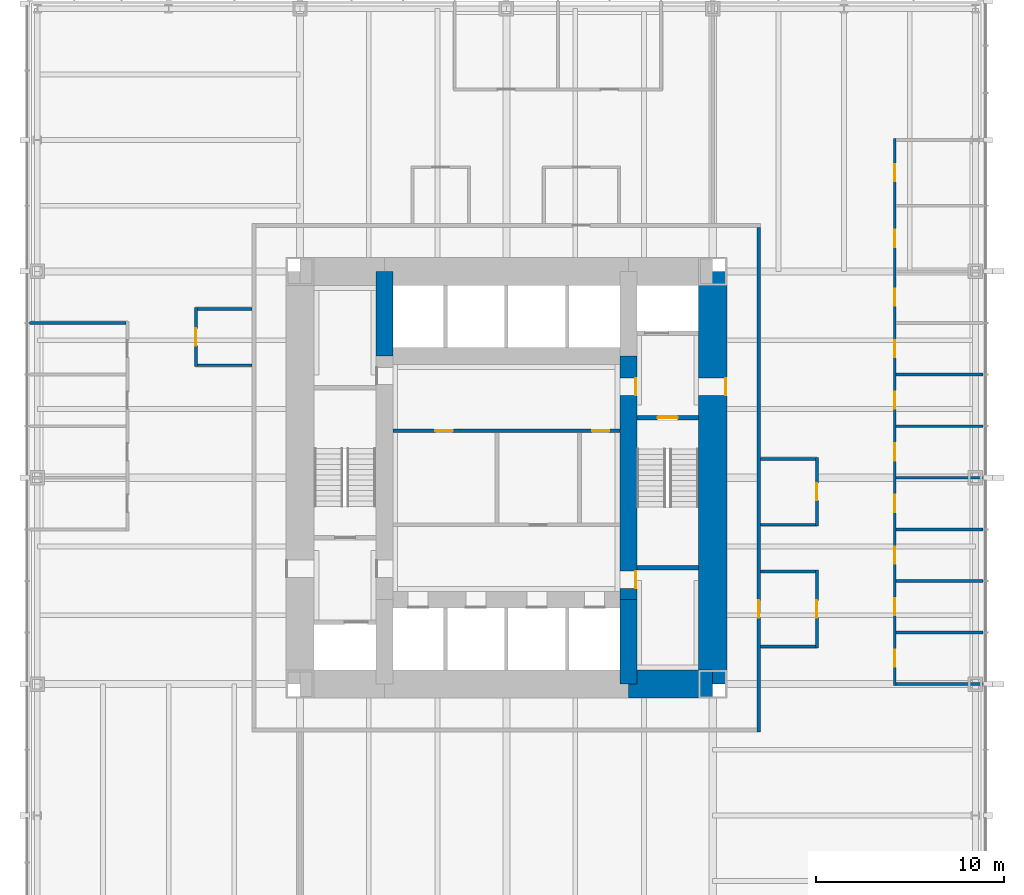
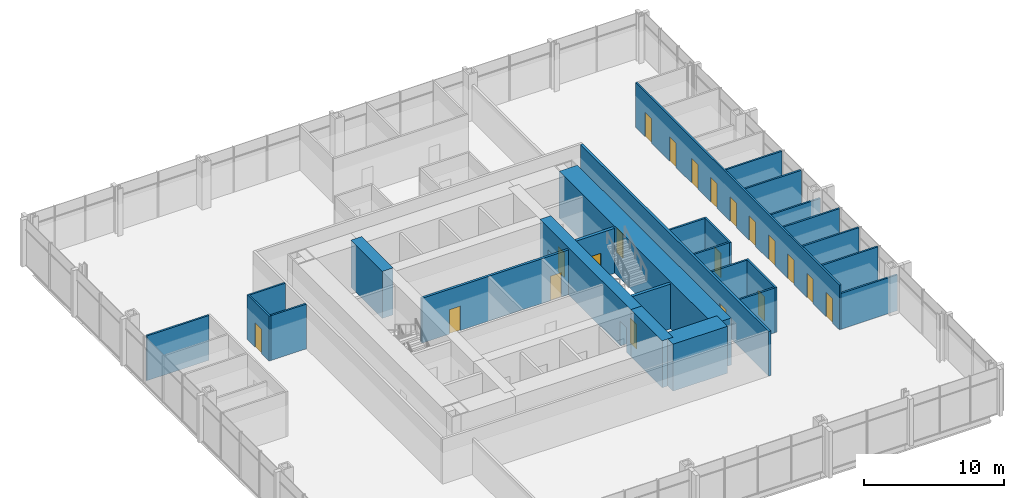
# One storey, part 10 of 12: 27 walls, 20 doors, 20 openings.
"""IFC4 building model written with IfcOpenShell, lengths in metres."""

from ifc_helpers import new_model, si_unit, direction, frame, frame_2d, origin, place, context, subcontext, project, spatial, rectangle, extrude, material, layer, layer_set, type_object, element, fill, save


model = new_model("IFC4")

# Units and contexts
model_context = context("Model", 3, precision=1e-05, world=origin(), true_north=direction((0.0, 1.0)))
body_context = subcontext(model_context, "Body", "Model", "MODEL_VIEW")
ifc_project = project(units=[si_unit("LENGTHUNIT", "METRE"), si_unit("AREAUNIT", "SQUARE_METRE"), si_unit("VOLUMEUNIT", "CUBIC_METRE"), si_unit("PLANEANGLEUNIT", "RADIAN"), si_unit("MASSUNIT", "GRAM", prefix="KILO")], contexts=[model_context])

# Site, building, storey
site_placement = place(None, origin())
site = spatial("IfcSite", under=ifc_project, at=site_placement, CompositionType="ELEMENT")
building_placement = place(site_placement, origin())
building = spatial("IfcBuilding", under=site, at=building_placement, Name="Trevanion Tower", CompositionType="ELEMENT")
storey_placement = place(building_placement, frame((0.0, 0.0, 52.89990234375)))
storey = spatial("IfcBuildingStorey", under=building, at=storey_placement, Name="L12", CompositionType="ELEMENT", Elevation=52.89990234375)

# Wall, opening, door
ifc_material_1 = material(Name="Concrete 10,000 psi", Category="concrete")
ifc_layer_1 = layer(ifc_material_1, 1.5)
ifc_layer_set_1 = layer_set([ifc_layer_1], Name="CW1 core wall 1500")
wall_type_1 = type_object("IfcWallType", Name="CW1 core wall 1500", PredefinedType="SHEAR", material=ifc_layer_set_1)
wall_1_placement = place(storey_placement, frame((11.0, -11.0, 0.0), z_axis=(0.0, 0.0, 1.0), x_axis=(0.0, 1.0, 0.0)))
wall_1 = element("IfcWall", 1, at=wall_1_placement, inside=storey, type_object=wall_type_1, Name="CW1 CE L12", PredefinedType="SHEAR", context=body_context, shape_type="SweptSolid", body=[
    extrude(rectangle(XDim=22.0, YDim=1.5, at=frame_2d((11.0, 0.0))), origin(), (0.0, 0.0, 1.0), 4.10009765625),
])
opening_1_placement = place(wall_1_placement, frame((15.392578125, 0.0, 0.0)))
opening_1 = element("IfcOpeningElement", 2, at=opening_1_placement, cuts=wall_1, Name="Opening 12-001", PredefinedType="OPENING", context=body_context, shape_type="SweptSolid", body=[
    extrude(rectangle(XDim=0.9150390625, YDim=2.134033203125, at=frame_2d((0.45751953125, 1.06689453125))), frame((0.0, 0.760009765625, 0.0), z_axis=(0.0, -1.0, 0.0), x_axis=(1.0, 0.0, 0.0)), (0.0, 0.0, 1.0), 1.52001953125),
])
ifc_material_2 = material(Name="Hollow metal, fire rated", Category="steel")
door_type_1 = type_object("IfcDoorType", Name="D3 fire lift lobby door", OperationType="SINGLE_SWING_RIGHT", PredefinedType="DOOR", material=ifc_material_2)
door_1_placement = place(opening_1_placement, origin())
door_1 = element("IfcDoor", 3, at=door_1_placement, inside=storey, type_object=door_type_1, Name="Door 12-001", OperationType="SINGLE_SWING_RIGHT", OverallHeight=2.134033203125, OverallWidth=0.9150390625, PredefinedType="DOOR", context=body_context, shape_type="SweptSolid", body=[
    extrude(rectangle(XDim=0.9150390625, YDim=2.134033203125, at=frame_2d((0.45751953125, 1.06689453125))), frame((0.0, -0.6748046875, 0.0), z_axis=(0.0, -1.0, 0.0), x_axis=(1.0, 0.0, 0.0)), (0.0, 0.0, 1.0), 0.050048828125),
])
fill(opening_1, door_1)

# Walls
wall_2_placement = place(storey_placement, frame((6.5, -11.0, 0.0), z_axis=(0.0, 0.0, 1.0), x_axis=(1.0, 0.0, 0.0)))
element("IfcWall", 4, at=wall_2_placement, inside=storey, type_object=wall_type_1, Name="CW1 CS3 L12", PredefinedType="SHEAR", context=body_context, shape_type="SweptSolid", body=[
    extrude(rectangle(XDim=4.5, YDim=1.5, at=frame_2d((2.25, 0.0))), origin(), (0.0, 0.0, 1.0), 4.10009765625),
])
ifc_material_3 = material(Name="Concrete 10,000 psi", Category="concrete")
ifc_layer_2 = layer(ifc_material_3, 0.89990234375)
ifc_layer_set_2 = layer_set([ifc_layer_2], Name="CW2 core wall 900")
wall_type_2 = type_object("IfcWallType", Name="CW2 core wall 900", PredefinedType="SHEAR", material=ifc_layer_set_2)
wall_3_placement = place(storey_placement, frame((6.5, -11.0, 0.0), z_axis=(0.0, 0.0, 1.0), x_axis=(0.0, 1.0, 0.0)))
element("IfcWall", 5, at=wall_3_placement, inside=storey, type_object=wall_type_2, Name="CW2 RE1 L12", PredefinedType="SHEAR", context=body_context, shape_type="SweptSolid", body=[
    extrude(rectangle(XDim=4.5, YDim=0.89990234375, at=frame_2d((2.25, 0.0))), origin(), (0.0, 0.0, 1.0), 4.10009765625),
])

# Wall, openings, doors
wall_4_placement = place(storey_placement, frame((6.5, -6.5, 0.0), z_axis=(0.0, 0.0, 1.0), x_axis=(0.0, 1.0, 0.0)))
wall_4 = element("IfcWall", 6, at=wall_4_placement, inside=storey, type_object=wall_type_2, Name="CW2 RE2 L12", PredefinedType="SHEAR", context=body_context, shape_type="SweptSolid", body=[
    extrude(rectangle(XDim=13.0, YDim=0.89990234375, at=frame_2d((6.5, 0.0))), origin(), (0.0, 0.0, 1.0), 4.10009765625),
])
opening_2_placement = place(wall_4_placement, frame((10.892578125, 0.0, 0.0)))
opening_2 = element("IfcOpeningElement", 7, at=opening_2_placement, cuts=wall_4, Name="Opening 12-003", PredefinedType="OPENING", context=body_context, shape_type="SweptSolid", body=[
    extrude(rectangle(XDim=0.9150390625, YDim=2.134033203125, at=frame_2d((0.45751953125, 1.06689453125))), frame((0.0, 0.4599609375, 0.0), z_axis=(0.0, -1.0, 0.0), x_axis=(1.0, 0.0, 0.0)), (0.0, 0.0, 1.0), 0.919921875),
])
opening_3_placement = place(wall_4_placement, frame((0.610107421875, 0.0, 0.0)))
opening_3 = element("IfcOpeningElement", 8, at=opening_3_placement, cuts=wall_4, Name="Opening 12-009", PredefinedType="OPENING", context=body_context, shape_type="SweptSolid", body=[
    extrude(rectangle(XDim=0.9150390625, YDim=2.134033203125, at=frame_2d((0.45751953125, 1.06689453125))), frame((0.0, 0.4599609375, 0.0), z_axis=(0.0, -1.0, 0.0), x_axis=(1.0, 0.0, 0.0)), (0.0, 0.0, 1.0), 0.919921875),
])
door_2_placement = place(opening_2_placement, origin())
door_2 = element("IfcDoor", 9, at=door_2_placement, inside=storey, type_object=door_type_1, Name="Door 12-003", OperationType="SINGLE_SWING_RIGHT", OverallHeight=2.134033203125, OverallWidth=0.9150390625, PredefinedType="DOOR", context=body_context, shape_type="SweptSolid", body=[
    extrude(rectangle(XDim=0.9150390625, YDim=2.134033203125, at=frame_2d((0.45751953125, 1.06689453125))), frame((0.0, -0.375, 0.0), z_axis=(0.0, -1.0, 0.0), x_axis=(1.0, 0.0, 0.0)), (0.0, 0.0, 1.0), 0.050048828125),
])
fill(opening_2, door_2)
ifc_material_4 = material(Name="Hollow metal, fire rated", Category="steel")
door_type_2 = type_object("IfcDoorType", Name="D5 service room door", OperationType="SINGLE_SWING_RIGHT", PredefinedType="DOOR", material=ifc_material_4)
door_3_placement = place(opening_3_placement, origin())
door_3 = element("IfcDoor", 10, at=door_3_placement, inside=storey, type_object=door_type_2, Name="Door 12-009", OperationType="SINGLE_SWING_RIGHT", OverallHeight=2.134033203125, OverallWidth=0.9150390625, PredefinedType="DOOR", context=body_context, shape_type="SweptSolid", body=[
    extrude(rectangle(XDim=0.9150390625, YDim=2.134033203125, at=frame_2d((0.45751953125, 1.06689453125))), frame((0.0, -0.375, 0.0), z_axis=(0.0, -1.0, 0.0), x_axis=(1.0, 0.0, 0.0)), (0.0, 0.0, 1.0), 0.050048828125),
])
fill(opening_3, door_3)

# Wall
wall_5_placement = place(storey_placement, frame((-6.5, 11.0, 0.0), z_axis=(0.0, 0.0, 1.0), x_axis=(0.0, -1.0, 0.0)))
element("IfcWall", 11, at=wall_5_placement, inside=storey, type_object=wall_type_2, Name="CW2 RW1 L12", PredefinedType="SHEAR", context=body_context, shape_type="SweptSolid", body=[
    extrude(rectangle(XDim=4.5, YDim=0.89990234375, at=frame_2d((2.25, 0.0))), origin(), (0.0, 0.0, 1.0), 4.10009765625),
])

# Wall, openings, doors
ifc_material_5 = material(Name="Gypsum board on steel studs", Category="steel")
ifc_layer_3 = layer(ifc_material_5, 0.14990234375)
ifc_layer_set_3 = layer_set([ifc_layer_3], Name="PT1 partition 150")
wall_type_3 = type_object("IfcWallType", Name="PT1 partition 150", PredefinedType="PARTITIONING", material=ifc_layer_set_3)
wall_6_placement = place(storey_placement, frame((20.699951171875, -11.074951171875, 0.0), z_axis=(0.0, 0.0, 1.0), x_axis=(0.0, 1.0, 0.0)))
wall_6 = element("IfcWall", 12, at=wall_6_placement, inside=storey, type_object=wall_type_3, Name="PT1 L12 FC0F", PredefinedType="PARTITIONING", context=body_context, shape_type="SweptSolid", body=[
    extrude(rectangle(XDim=29.14990234375, YDim=0.14990234375, at=frame_2d((14.574951171875, 0.0))), origin(), (0.0, 0.0, 1.0), 3.91015625),
])
opening_4_placement = place(wall_6_placement, frame((0.992431640625, 0.0, 0.0)))
opening_4 = element("IfcOpeningElement", 13, at=opening_4_placement, cuts=wall_6, Name="Opening 12-018", PredefinedType="OPENING", context=body_context, shape_type="SweptSolid", body=[
    extrude(rectangle(XDim=0.9150390625, YDim=2.134033203125, at=frame_2d((0.45751953125, 1.06689453125))), frame((0.0, 0.0849609375, 0.0), z_axis=(0.0, -1.0, 0.0), x_axis=(1.0, 0.0, 0.0)), (0.0, 0.0, 1.0), 0.169921875),
])
opening_5_placement = place(wall_6_placement, frame((3.742431640625, 0.0, 0.0)))
opening_5 = element("IfcOpeningElement", 14, at=opening_5_placement, cuts=wall_6, Name="Opening 12-019", PredefinedType="OPENING", context=body_context, shape_type="SweptSolid", body=[
    extrude(rectangle(XDim=0.9150390625, YDim=2.134033203125, at=frame_2d((0.45751953125, 1.06689453125))), frame((0.0, 0.0849609375, 0.0), z_axis=(0.0, -1.0, 0.0), x_axis=(1.0, 0.0, 0.0)), (0.0, 0.0, 1.0), 0.169921875),
])
opening_6_placement = place(wall_6_placement, frame((6.492431640625, 0.0, 0.0)))
opening_6 = element("IfcOpeningElement", 15, at=opening_6_placement, cuts=wall_6, Name="Opening 12-020", PredefinedType="OPENING", context=body_context, shape_type="SweptSolid", body=[
    extrude(rectangle(XDim=0.9150390625, YDim=2.134033203125, at=frame_2d((0.45751953125, 1.06689453125))), frame((0.0, 0.0849609375, 0.0), z_axis=(0.0, -1.0, 0.0), x_axis=(1.0, 0.0, 0.0)), (0.0, 0.0, 1.0), 0.169921875),
])
opening_7_placement = place(wall_6_placement, frame((9.242431640625, 0.0, 0.0)))
opening_7 = element("IfcOpeningElement", 16, at=opening_7_placement, cuts=wall_6, Name="Opening 12-021", PredefinedType="OPENING", context=body_context, shape_type="SweptSolid", body=[
    extrude(rectangle(XDim=0.9150390625, YDim=2.134033203125, at=frame_2d((0.45751953125, 1.06689453125))), frame((0.0, 0.0849609375, 0.0), z_axis=(0.0, -1.0, 0.0), x_axis=(1.0, 0.0, 0.0)), (0.0, 0.0, 1.0), 0.169921875),
])
opening_8_placement = place(wall_6_placement, frame((11.992431640625, 0.0, 0.0)))
opening_8 = element("IfcOpeningElement", 17, at=opening_8_placement, cuts=wall_6, Name="Opening 12-022", PredefinedType="OPENING", context=body_context, shape_type="SweptSolid", body=[
    extrude(rectangle(XDim=0.9150390625, YDim=2.134033203125, at=frame_2d((0.45751953125, 1.06689453125))), frame((0.0, 0.0849609375, 0.0), z_axis=(0.0, -1.0, 0.0), x_axis=(1.0, 0.0, 0.0)), (0.0, 0.0, 1.0), 0.169921875),
])
opening_9_placement = place(wall_6_placement, frame((14.742431640625, 0.0, 0.0)))
opening_9 = element("IfcOpeningElement", 18, at=opening_9_placement, cuts=wall_6, Name="Opening 12-023", PredefinedType="OPENING", context=body_context, shape_type="SweptSolid", body=[
    extrude(rectangle(XDim=0.9150390625, YDim=2.134033203125, at=frame_2d((0.45751953125, 1.06689453125))), frame((0.0, 0.0849609375, 0.0), z_axis=(0.0, -1.0, 0.0), x_axis=(1.0, 0.0, 0.0)), (0.0, 0.0, 1.0), 0.169921875),
])
opening_10_placement = place(wall_6_placement, frame((17.492431640625, 0.0, 0.0)))
opening_10 = element("IfcOpeningElement", 19, at=opening_10_placement, cuts=wall_6, Name="Opening 12-024", PredefinedType="OPENING", context=body_context, shape_type="SweptSolid", body=[
    extrude(rectangle(XDim=0.9150390625, YDim=2.134033203125, at=frame_2d((0.45751953125, 1.06689453125))), frame((0.0, 0.0849609375, 0.0), z_axis=(0.0, -1.0, 0.0), x_axis=(1.0, 0.0, 0.0)), (0.0, 0.0, 1.0), 0.169921875),
])
opening_11_placement = place(wall_6_placement, frame((20.242431640625, 0.0, 0.0)))
opening_11 = element("IfcOpeningElement", 20, at=opening_11_placement, cuts=wall_6, Name="Opening 12-025", PredefinedType="OPENING", context=body_context, shape_type="SweptSolid", body=[
    extrude(rectangle(XDim=0.9150390625, YDim=2.134033203125, at=frame_2d((0.45751953125, 1.06689453125))), frame((0.0, 0.0849609375, 0.0), z_axis=(0.0, -1.0, 0.0), x_axis=(1.0, 0.0, 0.0)), (0.0, 0.0, 1.0), 0.169921875),
])
opening_12_placement = place(wall_6_placement, frame((23.367431640625, 0.0, 0.0)))
opening_12 = element("IfcOpeningElement", 21, at=opening_12_placement, cuts=wall_6, Name="Opening 12-026", PredefinedType="OPENING", context=body_context, shape_type="SweptSolid", body=[
    extrude(rectangle(XDim=0.9150390625, YDim=2.134033203125, at=frame_2d((0.45751953125, 1.06689453125))), frame((0.0, 0.0849609375, 0.0), z_axis=(0.0, -1.0, 0.0), x_axis=(1.0, 0.0, 0.0)), (0.0, 0.0, 1.0), 0.169921875),
])
opening_13_placement = place(wall_6_placement, frame((26.867431640625, 0.0, 0.0)))
opening_13 = element("IfcOpeningElement", 22, at=opening_13_placement, cuts=wall_6, Name="Opening 12-027", PredefinedType="OPENING", context=body_context, shape_type="SweptSolid", body=[
    extrude(rectangle(XDim=0.9150390625, YDim=2.134033203125, at=frame_2d((0.45751953125, 1.06689453125))), frame((0.0, 0.0849609375, 0.0), z_axis=(0.0, -1.0, 0.0), x_axis=(1.0, 0.0, 0.0)), (0.0, 0.0, 1.0), 0.169921875),
])
ifc_material_6 = material(Name="Timber veneer, solid core", Category="wood")
door_type_3 = type_object("IfcDoorType", Name="D1 office and meeting room door", OperationType="SINGLE_SWING_LEFT", PredefinedType="DOOR", material=ifc_material_6)
door_4_placement = place(opening_4_placement, origin())
door_4 = element("IfcDoor", 23, at=door_4_placement, inside=storey, type_object=door_type_3, Name="Door 12-018", OperationType="SINGLE_SWING_LEFT", OverallHeight=2.134033203125, OverallWidth=0.9150390625, PredefinedType="DOOR", context=body_context, shape_type="SweptSolid", body=[
    extrude(rectangle(XDim=0.9150390625, YDim=2.134033203125, at=frame_2d((0.45751953125, 1.06689453125))), frame((0.0, 0.02490234375, 0.0), z_axis=(0.0, -1.0, 0.0), x_axis=(1.0, 0.0, 0.0)), (0.0, 0.0, 1.0), 0.050048828125),
])
fill(opening_4, door_4)
door_5_placement = place(opening_5_placement, origin())
door_5 = element("IfcDoor", 24, at=door_5_placement, inside=storey, type_object=door_type_3, Name="Door 12-019", OperationType="SINGLE_SWING_LEFT", OverallHeight=2.134033203125, OverallWidth=0.9150390625, PredefinedType="DOOR", context=body_context, shape_type="SweptSolid", body=[
    extrude(rectangle(XDim=0.9150390625, YDim=2.134033203125, at=frame_2d((0.45751953125, 1.06689453125))), frame((0.0, 0.02490234375, 0.0), z_axis=(0.0, -1.0, 0.0), x_axis=(1.0, 0.0, 0.0)), (0.0, 0.0, 1.0), 0.050048828125),
])
fill(opening_5, door_5)
door_6_placement = place(opening_6_placement, origin())
door_6 = element("IfcDoor", 25, at=door_6_placement, inside=storey, type_object=door_type_3, Name="Door 12-020", OperationType="SINGLE_SWING_LEFT", OverallHeight=2.134033203125, OverallWidth=0.9150390625, PredefinedType="DOOR", context=body_context, shape_type="SweptSolid", body=[
    extrude(rectangle(XDim=0.9150390625, YDim=2.134033203125, at=frame_2d((0.45751953125, 1.06689453125))), frame((0.0, 0.02490234375, 0.0), z_axis=(0.0, -1.0, 0.0), x_axis=(1.0, 0.0, 0.0)), (0.0, 0.0, 1.0), 0.050048828125),
])
fill(opening_6, door_6)
door_7_placement = place(opening_7_placement, origin())
door_7 = element("IfcDoor", 26, at=door_7_placement, inside=storey, type_object=door_type_3, Name="Door 12-021", OperationType="SINGLE_SWING_LEFT", OverallHeight=2.134033203125, OverallWidth=0.9150390625, PredefinedType="DOOR", context=body_context, shape_type="SweptSolid", body=[
    extrude(rectangle(XDim=0.9150390625, YDim=2.134033203125, at=frame_2d((0.45751953125, 1.06689453125))), frame((0.0, 0.02490234375, 0.0), z_axis=(0.0, -1.0, 0.0), x_axis=(1.0, 0.0, 0.0)), (0.0, 0.0, 1.0), 0.050048828125),
])
fill(opening_7, door_7)
door_8_placement = place(opening_8_placement, origin())
door_8 = element("IfcDoor", 27, at=door_8_placement, inside=storey, type_object=door_type_3, Name="Door 12-022", OperationType="SINGLE_SWING_LEFT", OverallHeight=2.134033203125, OverallWidth=0.9150390625, PredefinedType="DOOR", context=body_context, shape_type="SweptSolid", body=[
    extrude(rectangle(XDim=0.9150390625, YDim=2.134033203125, at=frame_2d((0.45751953125, 1.06689453125))), frame((0.0, 0.02490234375, 0.0), z_axis=(0.0, -1.0, 0.0), x_axis=(1.0, 0.0, 0.0)), (0.0, 0.0, 1.0), 0.050048828125),
])
fill(opening_8, door_8)
door_9_placement = place(opening_9_placement, origin())
door_9 = element("IfcDoor", 28, at=door_9_placement, inside=storey, type_object=door_type_3, Name="Door 12-023", OperationType="SINGLE_SWING_LEFT", OverallHeight=2.134033203125, OverallWidth=0.9150390625, PredefinedType="DOOR", context=body_context, shape_type="SweptSolid", body=[
    extrude(rectangle(XDim=0.9150390625, YDim=2.134033203125, at=frame_2d((0.45751953125, 1.06689453125))), frame((0.0, 0.02490234375, 0.0), z_axis=(0.0, -1.0, 0.0), x_axis=(1.0, 0.0, 0.0)), (0.0, 0.0, 1.0), 0.050048828125),
])
fill(opening_9, door_9)
door_10_placement = place(opening_10_placement, origin())
door_10 = element("IfcDoor", 29, at=door_10_placement, inside=storey, type_object=door_type_3, Name="Door 12-024", OperationType="SINGLE_SWING_LEFT", OverallHeight=2.134033203125, OverallWidth=0.9150390625, PredefinedType="DOOR", context=body_context, shape_type="SweptSolid", body=[
    extrude(rectangle(XDim=0.9150390625, YDim=2.134033203125, at=frame_2d((0.45751953125, 1.06689453125))), frame((0.0, 0.02490234375, 0.0), z_axis=(0.0, -1.0, 0.0), x_axis=(1.0, 0.0, 0.0)), (0.0, 0.0, 1.0), 0.050048828125),
])
fill(opening_10, door_10)
door_11_placement = place(opening_11_placement, origin())
door_11 = element("IfcDoor", 30, at=door_11_placement, inside=storey, type_object=door_type_3, Name="Door 12-025", OperationType="SINGLE_SWING_LEFT", OverallHeight=2.134033203125, OverallWidth=0.9150390625, PredefinedType="DOOR", context=body_context, shape_type="SweptSolid", body=[
    extrude(rectangle(XDim=0.9150390625, YDim=2.134033203125, at=frame_2d((0.45751953125, 1.06689453125))), frame((0.0, 0.02490234375, 0.0), z_axis=(0.0, -1.0, 0.0), x_axis=(1.0, 0.0, 0.0)), (0.0, 0.0, 1.0), 0.050048828125),
])
fill(opening_11, door_11)
door_12_placement = place(opening_12_placement, origin())
door_12 = element("IfcDoor", 31, at=door_12_placement, inside=storey, type_object=door_type_3, Name="Door 12-026", OperationType="SINGLE_SWING_LEFT", OverallHeight=2.134033203125, OverallWidth=0.9150390625, PredefinedType="DOOR", context=body_context, shape_type="SweptSolid", body=[
    extrude(rectangle(XDim=0.9150390625, YDim=2.134033203125, at=frame_2d((0.45751953125, 1.06689453125))), frame((0.0, 0.02490234375, 0.0), z_axis=(0.0, -1.0, 0.0), x_axis=(1.0, 0.0, 0.0)), (0.0, 0.0, 1.0), 0.050048828125),
])
fill(opening_12, door_12)
door_13_placement = place(opening_13_placement, origin())
door_13 = element("IfcDoor", 32, at=door_13_placement, inside=storey, type_object=door_type_3, Name="Door 12-027", OperationType="SINGLE_SWING_LEFT", OverallHeight=2.134033203125, OverallWidth=0.9150390625, PredefinedType="DOOR", context=body_context, shape_type="SweptSolid", body=[
    extrude(rectangle(XDim=0.9150390625, YDim=2.134033203125, at=frame_2d((0.45751953125, 1.06689453125))), frame((0.0, 0.02490234375, 0.0), z_axis=(0.0, -1.0, 0.0), x_axis=(1.0, 0.0, 0.0)), (0.0, 0.0, 1.0), 0.050048828125),
])
fill(opening_13, door_13)

# Walls
wall_7_placement = place(storey_placement, frame((20.77490234375, -11.0, 0.0), z_axis=(0.0, 0.0, 1.0), x_axis=(1.0, 0.0, 0.0)))
element("IfcWall", 33, at=wall_7_placement, inside=storey, type_object=wall_type_3, Name="PT1 L12 FC0S0", PredefinedType="PARTITIONING", context=body_context, shape_type="SweptSolid", body=[
    extrude(rectangle(XDim=4.64013671875, YDim=0.14990234375, at=frame_2d((2.320068359375, 0.0))), origin(), (0.0, 0.0, 1.0), 3.13037109375),
])
for number, where, z_axis, x_axis, name in (
    (34, (20.77490234375, -8.25, 0.0), (0.0, 0.0, 1.0), (1.0, 0.0, 0.0), "PT1 L12 FC0S1"),
    (35, (20.77490234375, -5.5, 0.0), (0.0, 0.0, 1.0), (1.0, 0.0, 0.0), "PT1 L12 FC0S2"),
    (36, (20.77490234375, -2.75, 0.0), (0.0, 0.0, 1.0), (1.0, 0.0, 0.0), "PT1 L12 FC0S3"),
):
    element("IfcWall", number, at=place(storey_placement, frame(where, z_axis=z_axis, x_axis=x_axis)), inside=storey, type_object=wall_type_3, Name=name, PredefinedType="PARTITIONING", context=body_context, shape_type="SweptSolid", body=[
        extrude(rectangle(XDim=4.64013671875, YDim=0.14990234375, at=frame_2d((2.320068359375, 0.0))), origin(), (0.0, 0.0, 1.0), 3.91015625),
    ])
wall_8_placement = place(storey_placement, frame((20.77490234375, 0.0, 0.0), z_axis=(0.0, 0.0, 1.0), x_axis=(1.0, 0.0, 0.0)))
element("IfcWall", 37, at=wall_8_placement, inside=storey, type_object=wall_type_3, Name="PT1 L12 FC0S4", PredefinedType="PARTITIONING", context=body_context, shape_type="SweptSolid", body=[
    extrude(rectangle(XDim=4.64013671875, YDim=0.14990234375, at=frame_2d((2.320068359375, 0.0))), origin(), (0.0, 0.0, 1.0), 3.13037109375),
])
for number, where, z_axis, x_axis, name in (
    (38, (20.77490234375, 2.75, 0.0), (0.0, 0.0, 1.0), (1.0, 0.0, 0.0), "PT1 L12 FC0S5"),
    (39, (20.77490234375, 5.5, 0.0), (0.0, 0.0, 1.0), (1.0, 0.0, 0.0), "PT1 L12 FC0S6"),
):
    element("IfcWall", number, at=place(storey_placement, frame(where, z_axis=z_axis, x_axis=x_axis)), inside=storey, type_object=wall_type_3, Name=name, PredefinedType="PARTITIONING", context=body_context, shape_type="SweptSolid", body=[
        extrude(rectangle(XDim=4.64013671875, YDim=0.14990234375, at=frame_2d((2.320068359375, 0.0))), origin(), (0.0, 0.0, 1.0), 3.91015625),
    ])
wall_9_placement = place(storey_placement, frame((-20.27490234375, 8.25, 0.0), z_axis=(0.0, 0.0, 1.0), x_axis=(-1.0, 0.0, 0.0)))
element("IfcWall", 40, at=wall_9_placement, inside=storey, type_object=wall_type_3, Name="PT1 L12 FC2S0", PredefinedType="PARTITIONING", context=body_context, shape_type="SweptSolid", body=[
    extrude(rectangle(XDim=5.14013671875, YDim=0.14990234375, at=frame_2d((2.570068359375, 0.0))), origin(), (0.0, 0.0, 1.0), 3.91015625),
])

# Wall, opening, door
wall_10_placement = place(storey_placement, frame((16.550048828125, -9.074951171875, 0.0), z_axis=(0.0, 0.0, 1.0), x_axis=(0.0, 1.0, 0.0)))
wall_10 = element("IfcWall", 41, at=wall_10_placement, inside=storey, type_object=wall_type_3, Name="PT1 L12 IN00F", PredefinedType="PARTITIONING", context=body_context, shape_type="SweptSolid", body=[
    extrude(rectangle(XDim=4.14990234375, YDim=0.14990234375, at=frame_2d((2.074951171875, 0.0))), origin(), (0.0, 0.0, 1.0), 3.91015625),
])
opening_14_placement = place(wall_10_placement, frame((1.617431640625, 0.0, 0.0)))
opening_14 = element("IfcOpeningElement", 42, at=opening_14_placement, cuts=wall_10, Name="Opening 12-034", PredefinedType="OPENING", context=body_context, shape_type="SweptSolid", body=[
    extrude(rectangle(XDim=0.9150390625, YDim=2.134033203125, at=frame_2d((0.45751953125, 1.06689453125))), frame((0.0, 0.0849609375, 0.0), z_axis=(0.0, -1.0, 0.0), x_axis=(1.0, 0.0, 0.0)), (0.0, 0.0, 1.0), 0.169921875),
])
door_14_placement = place(opening_14_placement, origin())
door_14 = element("IfcDoor", 43, at=door_14_placement, inside=storey, type_object=door_type_3, Name="Door 12-034", OperationType="SINGLE_SWING_LEFT", OverallHeight=2.134033203125, OverallWidth=0.9150390625, PredefinedType="DOOR", context=body_context, shape_type="SweptSolid", body=[
    extrude(rectangle(XDim=0.9150390625, YDim=2.134033203125, at=frame_2d((0.45751953125, 1.06689453125))), frame((0.0, 0.02490234375, 0.0), z_axis=(0.0, -1.0, 0.0), x_axis=(1.0, 0.0, 0.0)), (0.0, 0.0, 1.0), 0.050048828125),
])
fill(opening_14, door_14)

# Walls
for number, where, z_axis, x_axis, name in (
    (44, (16.47509765625, -9.0, 0.0), (0.0, 0.0, 1.0), (-1.0, 0.0, 0.0), "PT1 L12 IN00S0"),
    (45, (16.47509765625, -5.0, 0.0), (0.0, 0.0, 1.0), (-1.0, 0.0, 0.0), "PT1 L12 IN00S1"),
):
    element("IfcWall", number, at=place(storey_placement, frame(where, z_axis=z_axis, x_axis=x_axis)), inside=storey, type_object=wall_type_3, Name=name, PredefinedType="PARTITIONING", context=body_context, shape_type="SweptSolid", body=[
        extrude(rectangle(XDim=2.925048828125, YDim=0.14990234375, at=frame_2d((1.46240234375, 0.0))), origin(), (0.0, 0.0, 1.0), 3.91015625),
    ])

# Wall, opening, door
wall_11_placement = place(storey_placement, frame((16.550048828125, -2.574951171875, 0.0), z_axis=(0.0, 0.0, 1.0), x_axis=(0.0, 1.0, 0.0)))
wall_11 = element("IfcWall", 46, at=wall_11_placement, inside=storey, type_object=wall_type_3, Name="PT1 L12 IN01F", PredefinedType="PARTITIONING", context=body_context, shape_type="SweptSolid", body=[
    extrude(rectangle(XDim=3.64990234375, YDim=0.14990234375, at=frame_2d((1.824951171875, 0.0))), origin(), (0.0, 0.0, 1.0), 3.91015625),
])
opening_15_placement = place(wall_11_placement, frame((1.367431640625, 0.0, 0.0)))
opening_15 = element("IfcOpeningElement", 47, at=opening_15_placement, cuts=wall_11, Name="Opening 12-036", PredefinedType="OPENING", context=body_context, shape_type="SweptSolid", body=[
    extrude(rectangle(XDim=0.9150390625, YDim=2.134033203125, at=frame_2d((0.45751953125, 1.06689453125))), frame((0.0, 0.0849609375, 0.0), z_axis=(0.0, -1.0, 0.0), x_axis=(1.0, 0.0, 0.0)), (0.0, 0.0, 1.0), 0.169921875),
])
door_15_placement = place(opening_15_placement, origin())
door_15 = element("IfcDoor", 48, at=door_15_placement, inside=storey, type_object=door_type_3, Name="Door 12-036", OperationType="SINGLE_SWING_LEFT", OverallHeight=2.134033203125, OverallWidth=0.9150390625, PredefinedType="DOOR", context=body_context, shape_type="SweptSolid", body=[
    extrude(rectangle(XDim=0.9150390625, YDim=2.134033203125, at=frame_2d((0.45751953125, 1.06689453125))), frame((0.0, 0.02490234375, 0.0), z_axis=(0.0, -1.0, 0.0), x_axis=(1.0, 0.0, 0.0)), (0.0, 0.0, 1.0), 0.050048828125),
])
fill(opening_15, door_15)

# Walls
for number, where, z_axis, x_axis, name in (
    (49, (16.47509765625, -2.5, 0.0), (0.0, 0.0, 1.0), (-1.0, 0.0, 0.0), "PT1 L12 IN01S0"),
    (50, (16.47509765625, 1.0, 0.0), (0.0, 0.0, 1.0), (-1.0, 0.0, 0.0), "PT1 L12 IN01S1"),
):
    element("IfcWall", number, at=place(storey_placement, frame(where, z_axis=z_axis, x_axis=x_axis)), inside=storey, type_object=wall_type_3, Name=name, PredefinedType="PARTITIONING", context=body_context, shape_type="SweptSolid", body=[
        extrude(rectangle(XDim=2.925048828125, YDim=0.14990234375, at=frame_2d((1.46240234375, 0.0))), origin(), (0.0, 0.0, 1.0), 3.91015625),
    ])

# Wall, opening, door
wall_12_placement = place(storey_placement, frame((-16.550048828125, 9.074951171875, 0.0), z_axis=(0.0, 0.0, 1.0), x_axis=(0.0, -1.0, 0.0)))
wall_12 = element("IfcWall", 51, at=wall_12_placement, inside=storey, type_object=wall_type_3, Name="PT1 L12 IN20F", PredefinedType="PARTITIONING", context=body_context, shape_type="SweptSolid", body=[
    extrude(rectangle(XDim=3.14990234375, YDim=0.14990234375, at=frame_2d((1.574951171875, 0.0))), origin(), (0.0, 0.0, 1.0), 3.91015625),
])
opening_16_placement = place(wall_12_placement, frame((1.117431640625, 0.0, 0.0)))
opening_16 = element("IfcOpeningElement", 52, at=opening_16_placement, cuts=wall_12, Name="Opening 12-040", PredefinedType="OPENING", context=body_context, shape_type="SweptSolid", body=[
    extrude(rectangle(XDim=0.9150390625, YDim=2.134033203125, at=frame_2d((0.45751953125, 1.06689453125))), frame((0.0, 0.0849609375, 0.0), z_axis=(0.0, -1.0, 0.0), x_axis=(1.0, 0.0, 0.0)), (0.0, 0.0, 1.0), 0.169921875),
])
door_16_placement = place(opening_16_placement, origin())
door_16 = element("IfcDoor", 53, at=door_16_placement, inside=storey, type_object=door_type_3, Name="Door 12-040", OperationType="SINGLE_SWING_LEFT", OverallHeight=2.134033203125, OverallWidth=0.9150390625, PredefinedType="DOOR", context=body_context, shape_type="SweptSolid", body=[
    extrude(rectangle(XDim=0.9150390625, YDim=2.134033203125, at=frame_2d((0.45751953125, 1.06689453125))), frame((0.0, 0.02490234375, 0.0), z_axis=(0.0, -1.0, 0.0), x_axis=(1.0, 0.0, 0.0)), (0.0, 0.0, 1.0), 0.050048828125),
])
fill(opening_16, door_16)

# Walls
for number, where, z_axis, x_axis, name in (
    (54, (-16.47509765625, 9.0, 0.0), (0.0, 0.0, 1.0), (1.0, 0.0, 0.0), "PT1 L12 IN20S0"),
    (55, (-16.47509765625, 6.0, 0.0), (0.0, 0.0, 1.0), (1.0, 0.0, 0.0), "PT1 L12 IN20S1"),
):
    element("IfcWall", number, at=place(storey_placement, frame(where, z_axis=z_axis, x_axis=x_axis)), inside=storey, type_object=wall_type_3, Name=name, PredefinedType="PARTITIONING", context=body_context, shape_type="SweptSolid", body=[
        extrude(rectangle(XDim=2.925048828125, YDim=0.14990234375, at=frame_2d((1.46240234375, 0.0))), origin(), (0.0, 0.0, 1.0), 3.91015625),
    ])

# Wall, openings, doors
ifc_material_7 = material(Name="Concrete masonry, grouted", Category="masonry")
ifc_layer_4 = layer(ifc_material_7, 0.199951171875)
ifc_layer_set_4 = layer_set([ifc_layer_4], Name="PT2 partition 200 1 HR")
wall_type_4 = type_object("IfcWallType", Name="PT2 partition 200 1 HR", PredefinedType="PARTITIONING", material=ifc_layer_set_4)
wall_13_placement = place(storey_placement, frame((-6.050048828125, 2.5, 0.0), z_axis=(0.0, 0.0, 1.0), x_axis=(1.0, 0.0, 0.0)))
wall_13 = element("IfcWall", 56, at=wall_13_placement, inside=storey, type_object=wall_type_4, Name="PT2 L12 CP1", PredefinedType="PARTITIONING", context=body_context, shape_type="SweptSolid", body=[
    extrude(rectangle(XDim=12.10009765625, YDim=0.199951171875, at=frame_2d((6.050048828125, 0.0))), origin(), (0.0, 0.0, 1.0), 3.91015625),
])
opening_17_placement = place(wall_13_placement, frame((2.267578125, 0.0, 0.0)))
opening_17 = element("IfcOpeningElement", 57, at=opening_17_placement, cuts=wall_13, Name="Opening 12-015", PredefinedType="OPENING", context=body_context, shape_type="SweptSolid", body=[
    extrude(rectangle(XDim=0.9150390625, YDim=2.134033203125, at=frame_2d((0.45751953125, 1.06689453125))), frame((0.0, 0.10986328125, 0.0), z_axis=(0.0, -1.0, 0.0), x_axis=(1.0, 0.0, 0.0)), (0.0, 0.0, 1.0), 0.219970703125),
])
opening_18_placement = place(wall_13_placement, frame((10.617431640625, 0.0, 0.0)))
opening_18 = element("IfcOpeningElement", 58, at=opening_18_placement, cuts=wall_13, Name="Opening 12-017", PredefinedType="OPENING", context=body_context, shape_type="SweptSolid", body=[
    extrude(rectangle(XDim=0.9150390625, YDim=2.134033203125, at=frame_2d((0.45751953125, 1.06689453125))), frame((0.0, 0.10986328125, 0.0), z_axis=(0.0, -1.0, 0.0), x_axis=(1.0, 0.0, 0.0)), (0.0, 0.0, 1.0), 0.219970703125),
])
ifc_material_8 = material(Name="Plastic laminate on fire-rated core", Category="wood")
door_type_4 = type_object("IfcDoorType", Name="D12 toilet door in a one hour wall", OperationType="SINGLE_SWING_LEFT", PredefinedType="DOOR", material=ifc_material_8)
door_17_placement = place(opening_17_placement, origin())
door_17 = element("IfcDoor", 59, at=door_17_placement, inside=storey, type_object=door_type_4, Name="Door 12-015", OperationType="SINGLE_SWING_LEFT", OverallHeight=2.134033203125, OverallWidth=0.9150390625, PredefinedType="DOOR", context=body_context, shape_type="SweptSolid", body=[
    extrude(rectangle(XDim=0.9150390625, YDim=2.134033203125, at=frame_2d((0.45751953125, 1.06689453125))), frame((0.0, 0.02490234375, 0.0), z_axis=(0.0, -1.0, 0.0), x_axis=(1.0, 0.0, 0.0)), (0.0, 0.0, 1.0), 0.050048828125),
])
fill(opening_17, door_17)
door_18_placement = place(opening_18_placement, origin())
door_18 = element("IfcDoor", 60, at=door_18_placement, inside=storey, type_object=door_type_4, Name="Door 12-017", OperationType="SINGLE_SWING_LEFT", OverallHeight=2.134033203125, OverallWidth=0.9150390625, PredefinedType="DOOR", context=body_context, shape_type="SweptSolid", body=[
    extrude(rectangle(XDim=0.9150390625, YDim=2.134033203125, at=frame_2d((0.45751953125, 1.06689453125))), frame((0.0, 0.02490234375, 0.0), z_axis=(0.0, -1.0, 0.0), x_axis=(1.0, 0.0, 0.0)), (0.0, 0.0, 1.0), 0.050048828125),
])
fill(opening_18, door_18)

# Wall, opening, door
wall_14_placement = place(storey_placement, frame((13.449951171875, -13.550048828125, 0.0), z_axis=(0.0, 0.0, 1.0), x_axis=(0.0, 1.0, 0.0)))
wall_14 = element("IfcWall", 61, at=wall_14_placement, inside=storey, type_object=wall_type_4, Name="PT2 L12 OC0", PredefinedType="PARTITIONING", context=body_context, shape_type="SweptSolid", body=[
    extrude(rectangle(XDim=26.900146484375, YDim=0.199951171875, at=frame_2d((13.4501953125, 0.0))), origin(), (0.0, 0.0, 1.0), 3.91015625),
])
opening_19_placement = place(wall_14_placement, frame((6.092529296875, 0.0, 0.0)))
opening_19 = element("IfcOpeningElement", 62, at=opening_19_placement, cuts=wall_14, Name="Opening 12-035", PredefinedType="OPENING", context=body_context, shape_type="SweptSolid", body=[
    extrude(rectangle(XDim=0.9150390625, YDim=2.134033203125, at=frame_2d((0.45751953125, 1.06689453125))), frame((0.0, 0.10986328125, 0.0), z_axis=(0.0, -1.0, 0.0), x_axis=(1.0, 0.0, 0.0)), (0.0, 0.0, 1.0), 0.219970703125),
])
ifc_material_9 = material(Name="Timber veneer, fire rated", Category="wood")
door_type_5 = type_object("IfcDoorType", Name="D10 office door in a one hour wall", OperationType="SINGLE_SWING_LEFT", PredefinedType="DOOR", material=ifc_material_9)
door_19_placement = place(opening_19_placement, origin())
door_19 = element("IfcDoor", 63, at=door_19_placement, inside=storey, type_object=door_type_5, Name="Door 12-035", OperationType="SINGLE_SWING_LEFT", OverallHeight=2.134033203125, OverallWidth=0.9150390625, PredefinedType="DOOR", context=body_context, shape_type="SweptSolid", body=[
    extrude(rectangle(XDim=0.9150390625, YDim=2.134033203125, at=frame_2d((0.45751953125, 1.06689453125))), frame((0.0, 0.02490234375, 0.0), z_axis=(0.0, -1.0, 0.0), x_axis=(1.0, 0.0, 0.0)), (0.0, 0.0, 1.0), 0.050048828125),
])
fill(opening_19, door_19)

# Wall
ifc_material_10 = material(Name="Reinforced masonry, fully grouted", Category="masonry")
ifc_layer_5 = layer(ifc_material_10, 0.25)
ifc_layer_set_5 = layer_set([ifc_layer_5], Name="SW1 stair shaft wall 250")
wall_type_5 = type_object("IfcWallType", Name="SW1 stair shaft wall 250", PredefinedType="SOLIDWALL", material=ifc_layer_set_5)
wall_15_placement = place(storey_placement, frame((6.949951171875, -4.800048828125, 0.0), z_axis=(0.0, 0.0, 1.0), x_axis=(1.0, 0.0, 0.0)))
element("IfcWall", 64, at=wall_15_placement, inside=storey, type_object=wall_type_5, Name="SW1 L12 EP1", PredefinedType="SOLIDWALL", context=body_context, shape_type="SweptSolid", body=[
    extrude(rectangle(XDim=3.300048828125, YDim=0.25, at=frame_2d((1.64990234375, 0.0))), origin(), (0.0, 0.0, 1.0), 3.91015625),
])

# Wall, opening, door
wall_16_placement = place(storey_placement, frame((6.949951171875, 3.199951171875, 0.0), z_axis=(0.0, 0.0, 1.0), x_axis=(1.0, 0.0, 0.0)))
wall_16 = element("IfcWall", 65, at=wall_16_placement, inside=storey, type_object=wall_type_5, Name="SW1 L12 EP2", PredefinedType="SOLIDWALL", context=body_context, shape_type="SweptSolid", body=[
    extrude(rectangle(XDim=3.300048828125, YDim=0.25, at=frame_2d((1.64990234375, 0.0))), origin(), (0.0, 0.0, 1.0), 3.91015625),
])
opening_20_placement = place(wall_16_placement, frame((1.116455078125, 0.0, 0.0)))
opening_20 = element("IfcOpeningElement", 66, at=opening_20_placement, cuts=wall_16, Name="Opening 12-005", PredefinedType="OPENING", context=body_context, shape_type="SweptSolid", body=[
    extrude(rectangle(XDim=1.06689453125, YDim=2.134033203125, at=frame_2d((0.533447265625, 1.06689453125))), frame((0.0, 0.135009765625, 0.0), z_axis=(0.0, -1.0, 0.0), x_axis=(1.0, 0.0, 0.0)), (0.0, 0.0, 1.0), 0.27001953125),
])
ifc_material_11 = material(Name="Hollow metal, fire rated", Category="steel")
door_type_6 = type_object("IfcDoorType", Name="D2 exit stair door", OperationType="SINGLE_SWING_LEFT", PredefinedType="DOOR", material=ifc_material_11)
door_20_placement = place(opening_20_placement, origin())
door_20 = element("IfcDoor", 67, at=door_20_placement, inside=storey, type_object=door_type_6, Name="Door 12-005", OperationType="SINGLE_SWING_LEFT", OverallHeight=2.134033203125, OverallWidth=1.06689453125, PredefinedType="DOOR", context=body_context, shape_type="SweptSolid", body=[
    extrude(rectangle(XDim=1.06689453125, YDim=2.134033203125, at=frame_2d((0.533447265625, 1.06689453125))), frame((0.0, 0.02490234375, 0.0), z_axis=(0.0, -1.0, 0.0), x_axis=(1.0, 0.0, 0.0)), (0.0, 0.0, 1.0), 0.050048828125),
])
fill(opening_20, door_20)

save(model, "model.ifc")
